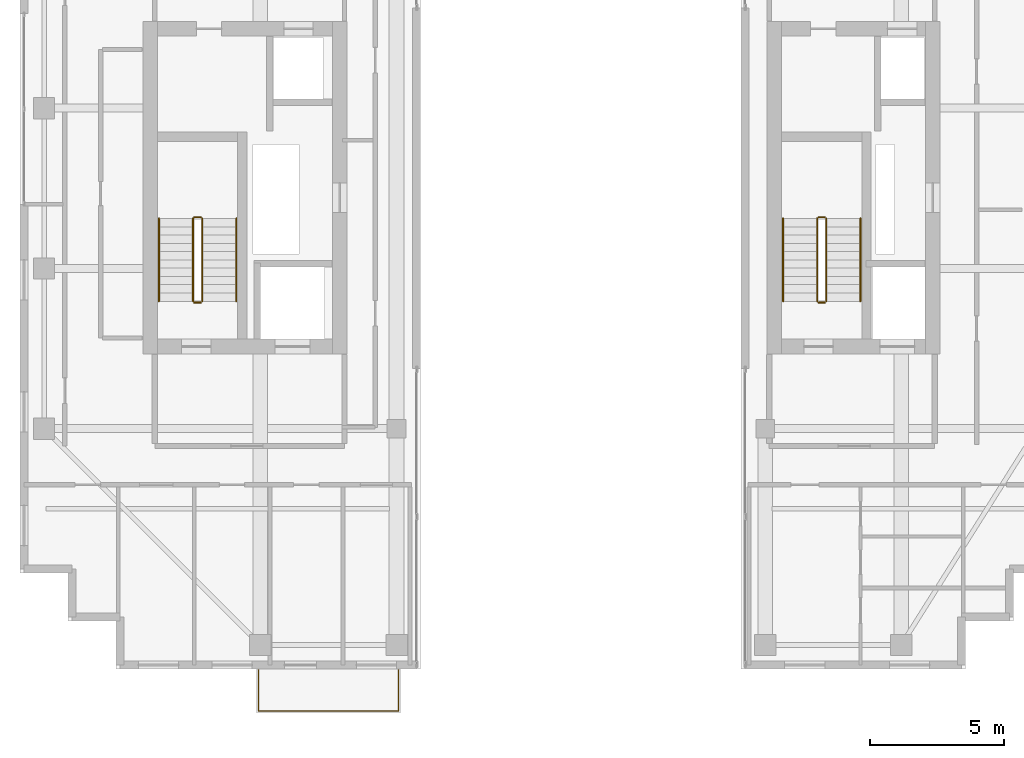
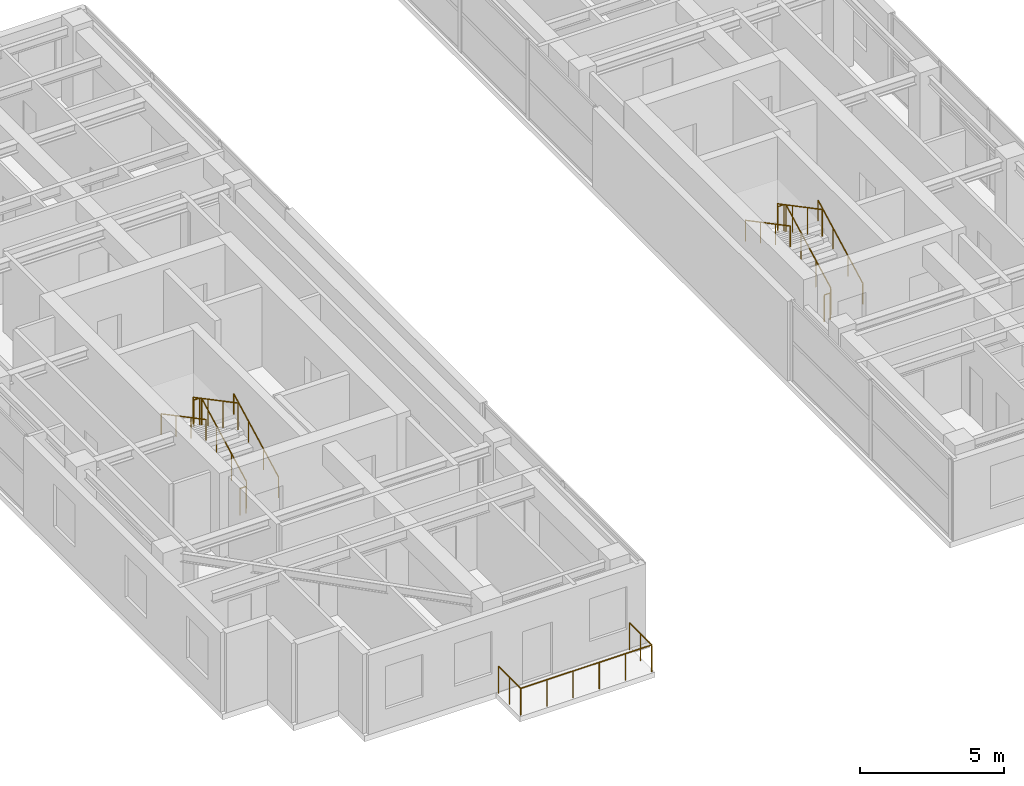
# One storey, part 21 of 22: 13 railings.
"""IFC4 building model written with IfcOpenShell, lengths in metres."""

import ifcopenshell
import ifcopenshell.guid

model = None  # the IFC model being written
_history = None  # IfcOwnerHistory: only IFC2X3 demands one
_inside = {}  # id of a spatial element -> (the spatial element, [elements in it])
_under = {}  # id of a project, library or spatial element -> (it, [spatial elements below it])
_declared = {}  # id of a project -> (the project, [libraries it declares])
_typed = {}  # id of a type object -> (the type object, [elements of that type])
_made_of = {}  # id of a material, layer set ... -> (it, [elements and type objects made of it])


def new_model(schema):
    """Start an empty IFC model of exactly this schema.

    Asked for "IFC4X3", IfcOpenShell would pick the latest addendum, in which some entities
    have other attributes; the version numbers below select the first issue.
    IFC2X3 requires an IfcOwnerHistory on every rooted entity: one is made here for all.
    """
    global model, _history
    if schema == "IFC4X3":
        model = ifcopenshell.file(schema_version=(4, 3, 0, 0))
    else:
        model = ifcopenshell.file(schema=schema)
    _inside.clear()
    _under.clear()
    _declared.clear()
    _typed.clear()
    _made_of.clear()
    _history = None
    if model.schema == "IFC2X3":
        org = make("IfcOrganization", Name="unknown")
        user = make(
            "IfcPersonAndOrganization",
            ThePerson=make("IfcPerson", FamilyName="unknown"),
            TheOrganization=org,
        )
        app = make(
            "IfcApplication",
            ApplicationDeveloper=org,
            Version="unknown",
            ApplicationFullName="unknown",
            ApplicationIdentifier="unknown",
        )
        _history = make(
            "IfcOwnerHistory",
            OwningUser=user,
            OwningApplication=app,
            ChangeAction="ADDED",
            CreationDate=0,
        )
    return model


def make(cls, **values):
    """One entity of the class cls with the attributes given. An attribute that is None is left unset."""
    return model.create_entity(
        cls, **{name: value for name, value in values.items() if value is not None}
    )


def rooted(cls, **values):
    """An entity with a GlobalId (a new one), such as an element, a storey or a relation."""
    return make(cls, GlobalId=ifcopenshell.guid.new(), OwnerHistory=_history, **values)


def si_unit(unit_type, name, prefix=None):
    """IfcSIUnit, for example si_unit("LENGTHUNIT", "METRE", prefix="MILLI")."""
    return make("IfcSIUnit", UnitType=unit_type, Prefix=prefix, Name=name)


def assignment(units):
    """IfcUnitAssignment: the units of a project."""
    return None if units is None else make("IfcUnitAssignment", Units=units)


def point(xyz):
    """IfcCartesianPoint."""
    return None if xyz is None else make("IfcCartesianPoint", Coordinates=xyz)


def direction(xyz):
    """IfcDirection."""
    return None if xyz is None else make("IfcDirection", DirectionRatios=xyz)


def frame(location, z_axis=None, x_axis=None):
    """IfcAxis2Placement3D, a coordinate frame: its origin and axes. An axis left out is left unset."""
    return make(
        "IfcAxis2Placement3D",
        Location=point(location),
        Axis=direction(z_axis),
        RefDirection=direction(x_axis),
    )


def frame_2d(location, x_axis=None):
    """IfcAxis2Placement2D, a coordinate frame in the plane: its origin and x axis."""
    return make(
        "IfcAxis2Placement2D", Location=point(location), RefDirection=direction(x_axis)
    )


def origin():
    """The frame at (0, 0, 0) with its axes left unset."""
    return frame((0.0, 0.0, 0.0))


def origin_2d():
    """The frame at (0, 0) in the plane with its x axis left unset."""
    return frame_2d((0.0, 0.0))


def place(relative_to, where):
    """IfcLocalPlacement: puts the frame where relative to a parent placement (None: the world)."""
    return make(
        "IfcLocalPlacement", PlacementRelTo=relative_to, RelativePlacement=where
    )


def context(
    kind, dimensions, precision=None, world=None, true_north=None, identifier=None
):
    """IfcGeometricRepresentationContext, for example the 3D "Model" context."""
    return make(
        "IfcGeometricRepresentationContext",
        ContextIdentifier=identifier,
        ContextType=kind,
        CoordinateSpaceDimension=dimensions,
        Precision=precision,
        WorldCoordinateSystem=world,
        TrueNorth=true_north,
    )


def subcontext(parent, identifier, kind, view, scale=None):
    """IfcGeometricRepresentationSubContext, for example "Body" below "Model"."""
    return make(
        "IfcGeometricRepresentationSubContext",
        ContextIdentifier=identifier,
        ContextType=kind,
        ParentContext=parent,
        TargetScale=scale,
        TargetView=view,
    )


def project(units=None, contexts=None):
    """IfcProject with its units and contexts."""
    return rooted(
        "IfcProject",
        Name="project",
        RepresentationContexts=contexts,
        UnitsInContext=assignment(units),
    )


def spatial(cls, under=None, at=None, **own):
    """A site, building, storey or space (cls), placed at a placement, below another one or the project."""
    s = rooted(cls, ObjectPlacement=at, **own)
    if under is not None:
        _under.setdefault(under.id(), (under, []))[1].append(s)
    return s


def profile(cls, at=None, kind="AREA", **sizes):
    """A parametric profile (cls). Its sizes go by their IFC names, for example OverallWidth=200.0."""
    return make(cls, ProfileType=kind, Position=at, **sizes)


def circle(**sizes):
    """IfcCircleProfileDef."""
    return profile("IfcCircleProfileDef", **sizes)


def extrude(swept, where, along, depth):
    """IfcExtrudedAreaSolid: the profile swept, set in the frame where, extruded along a direction by depth."""
    return make(
        "IfcExtrudedAreaSolid",
        SweptArea=swept,
        Position=where,
        ExtrudedDirection=direction(along),
        Depth=depth,
    )


def shape(context_of_items, identifier, shape_type, items):
    """IfcShapeRepresentation: the items that make up one representation, for example the "Body"."""
    return make(
        "IfcShapeRepresentation",
        ContextOfItems=context_of_items,
        RepresentationIdentifier=identifier,
        RepresentationType=shape_type,
        Items=items,
    )


def material(Name=None, Category=None):
    """IfcMaterial."""
    return make("IfcMaterial", Name=Name, Category=Category)


def made_of(thing, what):
    """Note that an element or type object is made of a material, layer set ...; save() writes the relation."""
    if what is not None:
        _made_of.setdefault(what.id(), (what, []))[1].append(thing)
    return thing


def type_object(cls, material=None, **own):
    """A type object (cls), such as IfcWallType, which elements share."""
    return made_of(rooted(cls, **own), material)


def element(
    cls,
    number,
    at=None,
    inside=None,
    cuts=None,
    type_object=None,
    material=None,
    context=None,
    identifier="Body",
    shape_type=None,
    held_by="IfcProductDefinitionShape",
    body=None,
    shapes=None,
    **own,
):
    """One element of the class cls, such as IfcWall. Its Tag is "e" and its number.

    at: its placement. inside: the storey or other place that contains it. cuts: it is an
    opening in that element (IfcRelVoidsElement). A single representation is given by context,
    identifier, shape_type and body (its items); several are given by shapes. held_by: the class
    of the entity that holds the representations. save() writes the other relations.
    """
    e = rooted(cls, Tag="e%d" % number, ObjectPlacement=at, **own)
    if body is not None:
        shapes = [shape(context, identifier, shape_type, body)]
    if shapes is not None:
        e.Representation = make(held_by, Representations=shapes)
    if inside is not None:
        _inside.setdefault(inside.id(), (inside, []))[1].append(e)
    if cuts is not None:
        rooted(
            "IfcRelVoidsElement", RelatingBuildingElement=cuts, RelatedOpeningElement=e
        )
    if type_object is not None:
        _typed.setdefault(type_object.id(), (type_object, []))[1].append(e)
    return made_of(e, material)


def aggregate(whole, parts):
    """IfcRelAggregates: a whole, such as a stair, and the parts it consists of."""
    return rooted("IfcRelAggregates", RelatingObject=whole, RelatedObjects=parts)


def save(model, path):
    """Write the relations noted so far, then the file.

    IfcRelAggregates (storeys below a building ...), IfcRelContainedInSpatialStructure (elements
    in a storey), IfcRelDefinesByType, IfcRelAssociatesMaterial and IfcRelDeclares: one each for
    every whole, place, type object, material and project.
    """
    for whole, parts in _under.values():
        aggregate(whole, parts)
    for where, things in _inside.values():
        rooted(
            "IfcRelContainedInSpatialStructure",
            RelatedElements=things,
            RelatingStructure=where,
        )
    for kind, things in _typed.values():
        rooted("IfcRelDefinesByType", RelatedObjects=things, RelatingType=kind)
    for what, things in _made_of.values():
        rooted("IfcRelAssociatesMaterial", RelatedObjects=things, RelatingMaterial=what)
    for by, libraries in _declared.values():
        rooted("IfcRelDeclares", RelatingContext=by, RelatedDefinitions=libraries)
    model.write(path)


model = new_model("IFC4")

# Units and contexts
model_context = context("Model", 3, precision=1e-05, world=origin(), true_north=direction((0.0, 1.0)))
body_context = subcontext(model_context, "Body", "Model", "MODEL_VIEW")
ifc_project = project(units=[si_unit("LENGTHUNIT", "METRE"), si_unit("AREAUNIT", "SQUARE_METRE"), si_unit("VOLUMEUNIT", "CUBIC_METRE"), si_unit("PLANEANGLEUNIT", "RADIAN"), si_unit("MASSUNIT", "GRAM", prefix="KILO")], contexts=[model_context])

# Site, building, storey
site_placement = place(None, origin())
site = spatial("IfcSite", under=ifc_project, at=site_placement, CompositionType="ELEMENT")
building_placement = place(site_placement, origin())
building = spatial("IfcBuilding", under=site, at=building_placement, Name="Khoralis Quay Care Tower", CompositionType="ELEMENT")
storey_placement = place(building_placement, frame((0.0, 0.0, 260.10009765625)))
storey = spatial("IfcBuildingStorey", under=building, at=storey_placement, Name="L68", CompositionType="ELEMENT", Elevation=260.10009765625)

# Railings
ifc_material_1 = material(Name="Pale anodised aluminium", Category="aluminium")
railing_type_1 = type_object("IfcRailingType", Name="RL-BALUST-1150", PredefinedType="BALUSTRADE", material=ifc_material_1)
railing_1_placement = place(storey_placement, frame((11.929931640625, 2.9599609375, -0.02001953125)))
element("IfcRailing", 1, at=railing_1_placement, inside=storey, type_object=railing_type_1, Name="L68 Senior Loggia Balcony Guard", PredefinedType="BALUSTRADE", context=body_context, shape_type="SweptSolid", body=[
    extrude(circle(Radius=0.02392578125, at=origin_2d()), frame((0.0, 0.0, 1.1259765625), z_axis=(0.0, -1.0, 0.0), x_axis=(1.0, 0.0, 0.0)), (0.0, 0.0, 1.0), 1.530029296875),
    extrude(circle(Radius=0.02392578125, at=origin_2d()), frame((0.0, -1.530029296875, 1.1259765625), z_axis=(1.0, 0.0, 0.0), x_axis=(0.0, 1.0, 0.0)), (0.0, 0.0, 1.0), 5.239990234375),
    extrude(circle(Radius=0.02392578125, at=origin_2d()), frame((5.239990234375, -1.530029296875, 1.1259765625), z_axis=(0.0, 1.0, 0.0), x_axis=(-1.0, 0.0, 0.0)), (0.0, 0.0, 1.0), 1.530029296875),
    extrude(circle(Radius=0.02099609375, at=origin_2d()), origin(), (0.0, 0.0, 1.0), 1.101806640625),
    extrude(circle(Radius=0.02099609375, at=origin_2d()), frame((0.0, -0.76513671875, 0.0)), (0.0, 0.0, 1.0), 1.101806640625),
    extrude(circle(Radius=0.02099609375, at=origin_2d()), frame((0.0, -1.530029296875, 0.0)), (0.0, 0.0, 1.0), 1.101806640625),
    extrude(circle(Radius=0.02099609375, at=origin_2d()), frame((1.048095703125, -1.530029296875, 0.0)), (0.0, 0.0, 1.0), 1.101806640625),
    extrude(circle(Radius=0.02099609375, at=origin_2d()), frame((2.095947265625, -1.530029296875, 0.0)), (0.0, 0.0, 1.0), 1.101806640625),
    extrude(circle(Radius=0.02099609375, at=origin_2d()), frame((3.14404296875, -1.530029296875, 0.0)), (0.0, 0.0, 1.0), 1.101806640625),
    extrude(circle(Radius=0.02099609375, at=origin_2d()), frame((4.19189453125, -1.530029296875, 0.0)), (0.0, 0.0, 1.0), 1.101806640625),
    extrude(circle(Radius=0.02099609375, at=origin_2d()), frame((5.239990234375, -1.530029296875, 0.0)), (0.0, 0.0, 1.0), 1.101806640625),
    extrude(circle(Radius=0.02099609375, at=origin_2d()), frame((5.239990234375, -0.76513671875, 0.0)), (0.0, 0.0, 1.0), 1.101806640625),
    extrude(circle(Radius=0.02099609375, at=origin_2d()), frame((5.239990234375, 0.0, 0.0)), (0.0, 0.0, 1.0), 1.101806640625),
])
ifc_material_2 = material(Name="Brushed stainless steel", Category="steel")
railing_type_2 = type_object("IfcRailingType", Name="RL-GUARD-1150", PredefinedType="GUARDRAIL", material=ifc_material_2)
railing_2_placement = place(storey_placement, frame((9.820068359375, 16.77001953125, 0.16357421875)))
element("IfcRailing", 2, at=railing_2_placement, inside=storey, type_object=railing_type_2, Name="L68 ST-T1 stair guard 1", PredefinedType="GUARDRAIL", context=body_context, shape_type="SweptSolid", body=[
    extrude(circle(Radius=0.02392578125, at=origin_2d()), frame((0.0, 0.0, 1.1259765625), z_axis=(0.0, 0.884376766648, 0.46677375099), x_axis=(-1.0, 0.0, 0.0)), (0.0, 0.0, 1.0), 3.50537109375),
    extrude(circle(Radius=0.02099609375, at=origin_2d()), origin(), (0.0, 0.0, 1.0), 1.101806640625),
    extrude(circle(Radius=0.02099609375, at=origin_2d()), frame((0.0, 1.033447265625, 0.54541015625)), (0.0, 0.0, 1.0), 1.101806640625),
    extrude(circle(Radius=0.02099609375, at=origin_2d()), frame((0.0, 2.066650390625, 1.0908203125)), (0.0, 0.0, 1.0), 1.101806640625),
    extrude(circle(Radius=0.02099609375, at=origin_2d()), frame((0.0, 3.10009765625, 1.63623046875)), (0.0, 0.0, 1.0), 1.101806640625),
])
railing_3_placement = place(storey_placement, frame((9.77001953125, 19.919921875, 1.7998046875)))
element("IfcRailing", 3, at=railing_3_placement, inside=storey, type_object=railing_type_2, Name="L68 ST-T1 stair guard 2", PredefinedType="GUARDRAIL", context=body_context, shape_type="SweptSolid", body=[
    extrude(circle(Radius=0.02392578125, at=origin_2d()), frame((0.0, 0.0, 1.1259765625), z_axis=(-1.0, 0.0, 0.0), x_axis=(0.0, -1.0, 0.0)), (0.0, 0.0, 1.0), 0.239990234375),
    extrude(circle(Radius=0.02099609375, at=origin_2d()), origin(), (0.0, 0.0, 1.0), 1.101806640625),
    extrude(circle(Radius=0.02099609375, at=origin_2d()), frame((-0.239990234375, 0.0, 0.0)), (0.0, 0.0, 1.0), 1.101806640625),
])
railing_4_placement = place(storey_placement, frame((9.47998046875, 19.8701171875, 1.963623046875)))
element("IfcRailing", 4, at=railing_4_placement, inside=storey, type_object=railing_type_2, Name="L68 ST-T1 stair guard 3", PredefinedType="GUARDRAIL", context=body_context, shape_type="SweptSolid", body=[
    extrude(circle(Radius=0.02392578125, at=origin_2d()), frame((0.0, 0.0, 1.1259765625), z_axis=(0.0, -0.884376766648, 0.46677375099), x_axis=(1.0, 0.0, 0.0)), (0.0, 0.0, 1.0), 3.50537109375),
    extrude(circle(Radius=0.02099609375, at=origin_2d()), origin(), (0.0, 0.0, 1.0), 1.101806640625),
    extrude(circle(Radius=0.02099609375, at=origin_2d()), frame((0.0, -1.033447265625, 0.54541015625)), (0.0, 0.0, 1.0), 1.101806640625),
    extrude(circle(Radius=0.02099609375, at=origin_2d()), frame((0.0, -2.066650390625, 1.0908203125)), (0.0, 0.0, 1.0), 1.101806640625),
    extrude(circle(Radius=0.02099609375, at=origin_2d()), frame((0.0, -3.10009765625, 1.63623046875)), (0.0, 0.0, 1.0), 1.101806640625),
])
railing_5_placement = place(storey_placement, frame((9.77001953125, 16.719970703125, 0.0)))
element("IfcRailing", 5, at=railing_5_placement, inside=storey, type_object=railing_type_2, Name="L68 ST-T1 stair guard 4", PredefinedType="GUARDRAIL", context=body_context, shape_type="SweptSolid", body=[
    extrude(circle(Radius=0.02392578125, at=origin_2d()), frame((0.0, 0.0, 1.1259765625), z_axis=(-1.0, 0.0, 0.0), x_axis=(0.0, -1.0, 0.0)), (0.0, 0.0, 1.0), 0.239990234375),
    extrude(circle(Radius=0.02099609375, at=origin_2d()), origin(), (0.0, 0.0, 1.0), 1.101806640625),
    extrude(circle(Radius=0.02099609375, at=origin_2d()), frame((-0.239990234375, 0.0, 0.0)), (0.0, 0.0, 1.0), 1.101806640625),
])
railing_6_placement = place(storey_placement, frame((33.18994140625, 16.77001953125, 0.16357421875)))
element("IfcRailing", 6, at=railing_6_placement, inside=storey, type_object=railing_type_2, Name="L68 ST-T2 stair guard 1", PredefinedType="GUARDRAIL", context=body_context, shape_type="SweptSolid", body=[
    extrude(circle(Radius=0.02392578125, at=origin_2d()), frame((0.0, 0.0, 1.1259765625), z_axis=(0.0, 0.884376766648, 0.46677375099), x_axis=(-1.0, 0.0, 0.0)), (0.0, 0.0, 1.0), 3.50537109375),
    extrude(circle(Radius=0.02099609375, at=origin_2d()), origin(), (0.0, 0.0, 1.0), 1.101806640625),
    extrude(circle(Radius=0.02099609375, at=origin_2d()), frame((0.0, 1.033447265625, 0.54541015625)), (0.0, 0.0, 1.0), 1.101806640625),
    extrude(circle(Radius=0.02099609375, at=origin_2d()), frame((0.0, 2.066650390625, 1.0908203125)), (0.0, 0.0, 1.0), 1.101806640625),
    extrude(circle(Radius=0.02099609375, at=origin_2d()), frame((0.0, 3.10009765625, 1.63623046875)), (0.0, 0.0, 1.0), 1.101806640625),
])
railing_7_placement = place(storey_placement, frame((33.139892578125, 19.919921875, 1.7998046875)))
element("IfcRailing", 7, at=railing_7_placement, inside=storey, type_object=railing_type_2, Name="L68 ST-T2 stair guard 2", PredefinedType="GUARDRAIL", context=body_context, shape_type="SweptSolid", body=[
    extrude(circle(Radius=0.02392578125, at=origin_2d()), frame((0.0, 0.0, 1.1259765625), z_axis=(-1.0, 0.0, 0.0), x_axis=(0.0, -1.0, 0.0)), (0.0, 0.0, 1.0), 0.239990234375),
    extrude(circle(Radius=0.02099609375, at=origin_2d()), origin(), (0.0, 0.0, 1.0), 1.101806640625),
    extrude(circle(Radius=0.02099609375, at=origin_2d()), frame((-0.239990234375, 0.0, 0.0)), (0.0, 0.0, 1.0), 1.101806640625),
])
railing_8_placement = place(storey_placement, frame((32.85009765625, 19.8701171875, 1.963623046875)))
element("IfcRailing", 8, at=railing_8_placement, inside=storey, type_object=railing_type_2, Name="L68 ST-T2 stair guard 3", PredefinedType="GUARDRAIL", context=body_context, shape_type="SweptSolid", body=[
    extrude(circle(Radius=0.02392578125, at=origin_2d()), frame((0.0, 0.0, 1.1259765625), z_axis=(0.0, -0.884376766648, 0.46677375099), x_axis=(1.0, 0.0, 0.0)), (0.0, 0.0, 1.0), 3.50537109375),
    extrude(circle(Radius=0.02099609375, at=origin_2d()), origin(), (0.0, 0.0, 1.0), 1.101806640625),
    extrude(circle(Radius=0.02099609375, at=origin_2d()), frame((0.0, -1.033447265625, 0.54541015625)), (0.0, 0.0, 1.0), 1.101806640625),
    extrude(circle(Radius=0.02099609375, at=origin_2d()), frame((0.0, -2.066650390625, 1.0908203125)), (0.0, 0.0, 1.0), 1.101806640625),
    extrude(circle(Radius=0.02099609375, at=origin_2d()), frame((0.0, -3.10009765625, 1.63623046875)), (0.0, 0.0, 1.0), 1.101806640625),
])
railing_9_placement = place(storey_placement, frame((33.139892578125, 16.719970703125, 0.0)))
element("IfcRailing", 9, at=railing_9_placement, inside=storey, type_object=railing_type_2, Name="L68 ST-T2 stair guard 4", PredefinedType="GUARDRAIL", context=body_context, shape_type="SweptSolid", body=[
    extrude(circle(Radius=0.02392578125, at=origin_2d()), frame((0.0, 0.0, 1.1259765625), z_axis=(-1.0, 0.0, 0.0), x_axis=(0.0, -1.0, 0.0)), (0.0, 0.0, 1.0), 0.239990234375),
    extrude(circle(Radius=0.02099609375, at=origin_2d()), origin(), (0.0, 0.0, 1.0), 1.101806640625),
    extrude(circle(Radius=0.02099609375, at=origin_2d()), frame((-0.239990234375, 0.0, 0.0)), (0.0, 0.0, 1.0), 1.101806640625),
])
railing_type_3 = type_object("IfcRailingType", Name="RL-HAND-900", PredefinedType="HANDRAIL", material=ifc_material_2)
railing_10_placement = place(storey_placement, frame((11.10009765625, 16.77001953125, 0.16357421875)))
element("IfcRailing", 10, at=railing_10_placement, inside=storey, type_object=railing_type_3, Name="L68 ST-T1 stair handrail 1", PredefinedType="HANDRAIL", context=body_context, shape_type="SweptSolid", body=[
    extrude(circle(Radius=0.02392578125, at=origin_2d()), frame((0.0, 0.0, 0.8759765625), z_axis=(0.0, 0.884376766648, 0.46677375099), x_axis=(-1.0, 0.0, 0.0)), (0.0, 0.0, 1.0), 3.50537109375),
    extrude(circle(Radius=0.02099609375, at=origin_2d()), origin(), (0.0, 0.0, 1.0), 0.851806640625),
    extrude(circle(Radius=0.02099609375, at=origin_2d()), frame((0.0, 1.033447265625, 0.54541015625)), (0.0, 0.0, 1.0), 0.851806640625),
    extrude(circle(Radius=0.02099609375, at=origin_2d()), frame((0.0, 2.066650390625, 1.0908203125)), (0.0, 0.0, 1.0), 0.851806640625),
    extrude(circle(Radius=0.02099609375, at=origin_2d()), frame((0.0, 3.10009765625, 1.63623046875)), (0.0, 0.0, 1.0), 0.851806640625),
])
railing_11_placement = place(storey_placement, frame((8.199951171875, 19.8701171875, 1.963623046875)))
element("IfcRailing", 11, at=railing_11_placement, inside=storey, type_object=railing_type_3, Name="L68 ST-T1 stair handrail 2", PredefinedType="HANDRAIL", context=body_context, shape_type="SweptSolid", body=[
    extrude(circle(Radius=0.02392578125, at=origin_2d()), frame((0.0, 0.0, 0.8759765625), z_axis=(0.0, -0.884376766648, 0.46677375099), x_axis=(1.0, 0.0, 0.0)), (0.0, 0.0, 1.0), 3.50537109375),
    extrude(circle(Radius=0.02099609375, at=origin_2d()), origin(), (0.0, 0.0, 1.0), 0.851806640625),
    extrude(circle(Radius=0.02099609375, at=origin_2d()), frame((0.0, -1.033447265625, 0.54541015625)), (0.0, 0.0, 1.0), 0.851806640625),
    extrude(circle(Radius=0.02099609375, at=origin_2d()), frame((0.0, -2.066650390625, 1.0908203125)), (0.0, 0.0, 1.0), 0.851806640625),
    extrude(circle(Radius=0.02099609375, at=origin_2d()), frame((0.0, -3.10009765625, 1.63623046875)), (0.0, 0.0, 1.0), 0.851806640625),
])
railing_12_placement = place(storey_placement, frame((34.469970703125, 16.77001953125, 0.16357421875)))
element("IfcRailing", 12, at=railing_12_placement, inside=storey, type_object=railing_type_3, Name="L68 ST-T2 stair handrail 1", PredefinedType="HANDRAIL", context=body_context, shape_type="SweptSolid", body=[
    extrude(circle(Radius=0.02392578125, at=origin_2d()), frame((0.0, 0.0, 0.8759765625), z_axis=(0.0, 0.884376766648, 0.46677375099), x_axis=(-1.0, 0.0, 0.0)), (0.0, 0.0, 1.0), 3.50537109375),
    extrude(circle(Radius=0.02099609375, at=origin_2d()), origin(), (0.0, 0.0, 1.0), 0.851806640625),
    extrude(circle(Radius=0.02099609375, at=origin_2d()), frame((0.0, 1.033447265625, 0.54541015625)), (0.0, 0.0, 1.0), 0.851806640625),
    extrude(circle(Radius=0.02099609375, at=origin_2d()), frame((0.0, 2.066650390625, 1.0908203125)), (0.0, 0.0, 1.0), 0.851806640625),
    extrude(circle(Radius=0.02099609375, at=origin_2d()), frame((0.0, 3.10009765625, 1.63623046875)), (0.0, 0.0, 1.0), 0.851806640625),
])
railing_13_placement = place(storey_placement, frame((31.570068359375, 19.8701171875, 1.963623046875)))
element("IfcRailing", 13, at=railing_13_placement, inside=storey, type_object=railing_type_3, Name="L68 ST-T2 stair handrail 2", PredefinedType="HANDRAIL", context=body_context, shape_type="SweptSolid", body=[
    extrude(circle(Radius=0.02392578125, at=origin_2d()), frame((0.0, 0.0, 0.8759765625), z_axis=(0.0, -0.884376766648, 0.46677375099), x_axis=(1.0, 0.0, 0.0)), (0.0, 0.0, 1.0), 3.50537109375),
    extrude(circle(Radius=0.02099609375, at=origin_2d()), origin(), (0.0, 0.0, 1.0), 0.851806640625),
    extrude(circle(Radius=0.02099609375, at=origin_2d()), frame((0.0, -1.033447265625, 0.54541015625)), (0.0, 0.0, 1.0), 0.851806640625),
    extrude(circle(Radius=0.02099609375, at=origin_2d()), frame((0.0, -2.066650390625, 1.0908203125)), (0.0, 0.0, 1.0), 0.851806640625),
    extrude(circle(Radius=0.02099609375, at=origin_2d()), frame((0.0, -3.10009765625, 1.63623046875)), (0.0, 0.0, 1.0), 0.851806640625),
])

save(model, "model.ifc")
